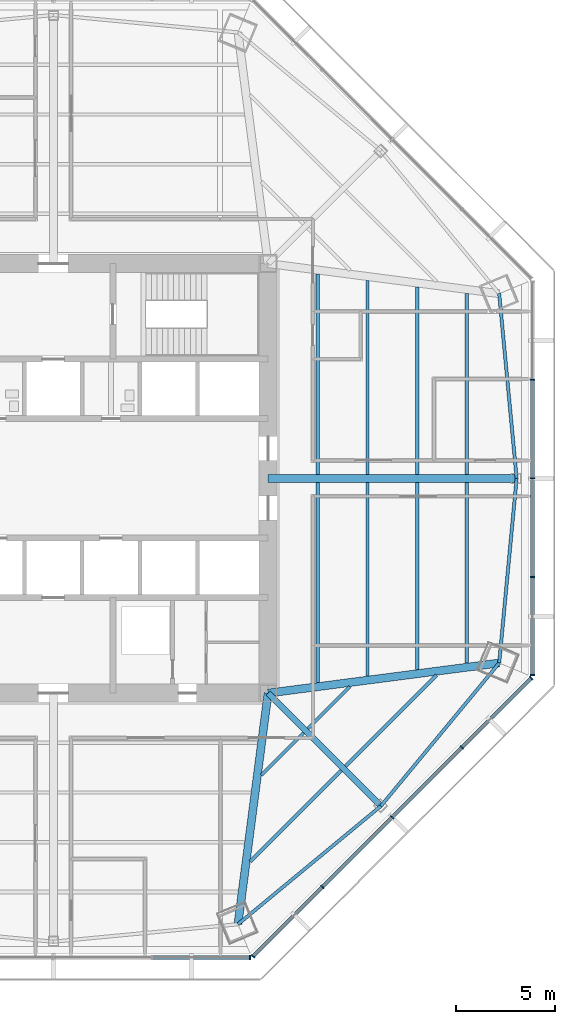
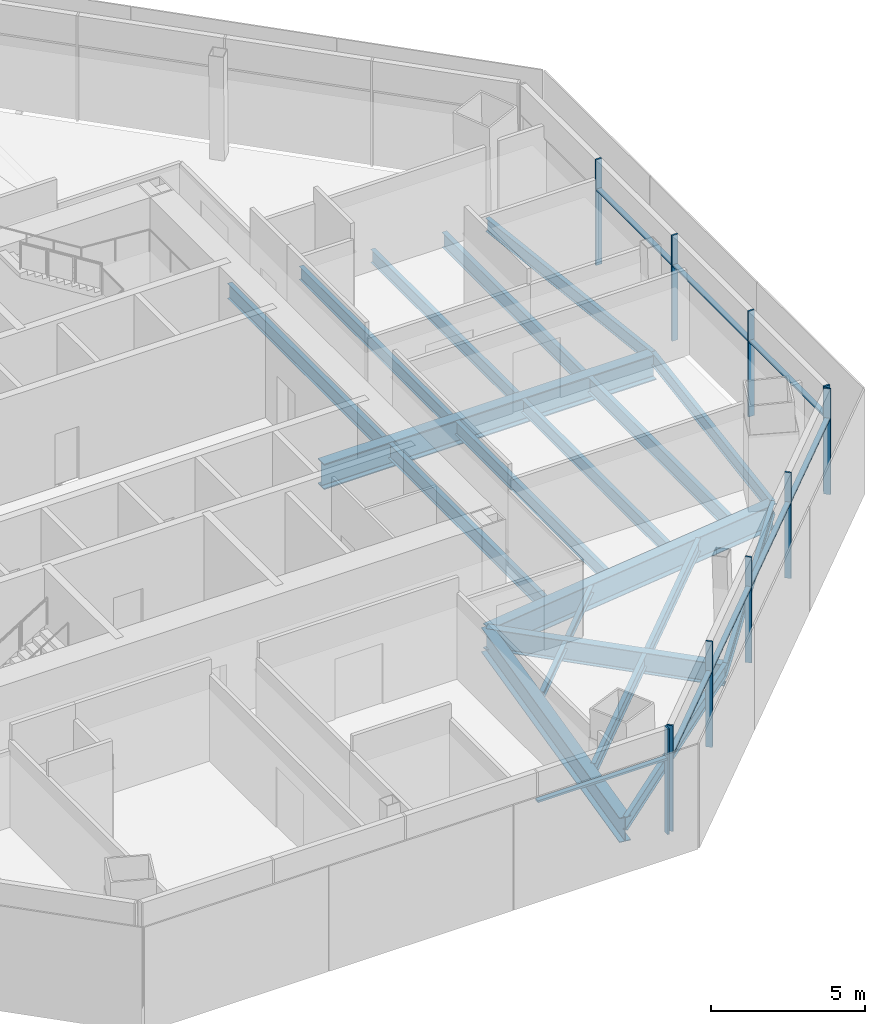
# One storey, part 4 of 14: 20 beams, 18 members, 3 elements without a shape of their own.
"""IFC4 building model written with IfcOpenShell, lengths in metres."""

from ifc_helpers import new_model, si_unit, direction, frame, origin, origin_2d, place, context, subcontext, project, spatial, rectangle, i_section, extrude, source, transform, mapped, material, material_profile, profile_set, type_object, type_shapes, element, aggregate, save


model = new_model("IFC4")

# Units and contexts
model_context = context("Model", 3, precision=1e-05, world=origin(), true_north=direction((0.0, 1.0)))
body_context = subcontext(model_context, "Body", "Model", "MODEL_VIEW")
ifc_project = project(units=[si_unit("LENGTHUNIT", "METRE"), si_unit("AREAUNIT", "SQUARE_METRE"), si_unit("VOLUMEUNIT", "CUBIC_METRE"), si_unit("PLANEANGLEUNIT", "RADIAN"), si_unit("MASSUNIT", "GRAM", prefix="KILO")], contexts=[model_context])

# Site, building, storey
site_placement = place(None, origin())
site = spatial("IfcSite", under=ifc_project, at=site_placement, CompositionType="ELEMENT")
building_placement = place(site_placement, origin())
building = spatial("IfcBuilding", under=site, at=building_placement, Name="Mashrafa Tower", CompositionType="ELEMENT")
storey_placement = place(building_placement, frame((0.0, 0.0, 138.60009765625)))
storey = spatial("IfcBuildingStorey", under=building, at=storey_placement, Name="L31", CompositionType="ELEMENT", Elevation=138.60009765625)

# Beams
ifc_material_1 = material(Name="Steel ASTM A992", Category="steel")
ifc_material_profile_1 = material_profile(ifc_material_1, i_section(OverallWidth=0.164794921875, OverallDepth=0.309814453125, WebThickness=0.005859375, FlangeThickness=0.009765625, FilletRadius=0.007568359375, at=origin_2d()), Name="W12X26")
ifc_profile_set_1 = profile_set([ifc_material_profile_1], Name="Steel ASTM A992")
beam_type_1 = type_object("IfcBeamType", Name="Beam W12X26", PredefinedType="BEAM", material=ifc_profile_set_1)
for number, where, z_axis, x_axis, name in (
    (1, (12.588134765625, -12.794921875, -0.320068359375), (-0.707106781187, -0.707106781187, 0.0), (0.707106781187, -0.707106781187, 0.0), "Floor beam L31 035"),
    (2, (14.916748046875, -10.46630859375, -0.320068359375), (-0.707106781187, -0.707106781187, 0.0), (0.707106781187, -0.707106781187, 0.0), "Floor beam L31 041"),
):
    element("IfcBeam", number, at=place(storey_placement, frame(where, z_axis=z_axis, x_axis=x_axis)), inside=storey, type_object=beam_type_1, Name=name, PredefinedType="BEAM", context=body_context, shape_type="SweptSolid", body=[
        extrude(i_section(OverallWidth=0.164794921875, OverallDepth=0.309814453125, WebThickness=0.005859375, FlangeThickness=0.009765625, FilletRadius=0.007568359375, at=origin_2d()), origin(), (0.0, 0.0, 1.0), 3.000732421875),
    ])
ifc_material_2 = material(Name="Steel ASTM A992", Category="steel")
ifc_material_profile_2 = material_profile(ifc_material_2, i_section(OverallWidth=0.1650390625, OverallDepth=0.52587890625, WebThickness=0.0087890625, FlangeThickness=0.011474609375, FilletRadius=0.0126953125, at=origin_2d()), Name="W21X44")
ifc_profile_set_2 = profile_set([ifc_material_profile_2], Name="Steel ASTM A992")
beam_type_2 = type_object("IfcBeamType", Name="Beam W21X44", PredefinedType="BEAM", material=ifc_profile_set_2)
beam_1_placement = place(storey_placement, frame((14.479736328125, -14.686279296875, -0.427978515625), z_axis=(-0.707087934304, -0.707125627567, 0.0), x_axis=(0.707125627567, -0.707087934304, 0.0)))
element("IfcBeam", 3, at=beam_1_placement, inside=storey, type_object=beam_type_2, Name="Floor beam L31 039", PredefinedType="BEAM", context=body_context, shape_type="SweptSolid", body=[
    extrude(i_section(OverallWidth=0.1650390625, OverallDepth=0.52587890625, WebThickness=0.0087890625, FlangeThickness=0.011474609375, FilletRadius=0.0126953125, at=origin_2d()), origin(), (0.0, 0.0, 1.0), 6.47705078125),
])
for number, where, z_axis, x_axis, name in (
    (4, (15.79931640625, -0.20068359375, -0.427978515625), (0.0, -1.0, 0.0), (1.0, 0.0, 0.0), "Floor beam L31 042"),
    (5, (15.79931640625, 9.946533203125, -0.427978515625), (0.0, -1.0, 0.0), (1.0, 0.0, 0.0), "Floor beam L31 043"),
):
    element("IfcBeam", number, at=place(storey_placement, frame(where, z_axis=z_axis, x_axis=x_axis)), inside=storey, type_object=beam_type_2, Name=name, PredefinedType="BEAM", context=body_context, shape_type="SweptSolid", body=[
        extrude(i_section(OverallWidth=0.1650390625, OverallDepth=0.52587890625, WebThickness=0.0087890625, FlangeThickness=0.011474609375, FilletRadius=0.0126953125, at=origin_2d()), origin(), (0.0, 0.0, 1.0), 9.745849609375),
    ])
for number, where, z_axis, x_axis, name in (
    (6, (18.29931640625, -0.20068359375, -0.427978515625), (0.0, -1.0, 0.0), (1.0, 0.0, 0.0), "Floor beam L31 044"),
    (7, (18.29931640625, 9.62109375, -0.427978515625), (0.0, -1.0, 0.0), (1.0, 0.0, 0.0), "Floor beam L31 045"),
):
    element("IfcBeam", number, at=place(storey_placement, frame(where, z_axis=z_axis, x_axis=x_axis)), inside=storey, type_object=beam_type_2, Name=name, PredefinedType="BEAM", context=body_context, shape_type="SweptSolid", body=[
        extrude(i_section(OverallWidth=0.1650390625, OverallDepth=0.52587890625, WebThickness=0.0087890625, FlangeThickness=0.011474609375, FilletRadius=0.0126953125, at=origin_2d()), origin(), (0.0, 0.0, 1.0), 9.42041015625),
    ])
beam_2_placement = place(storey_placement, frame((19.266357421875, -9.89990234375, -0.427978515625), z_axis=(-0.707125627567, -0.707087934304, 0.0), x_axis=(0.707087934304, -0.707125627567, 0.0)))
element("IfcBeam", 8, at=beam_2_placement, inside=storey, type_object=beam_type_2, Name="Floor beam L31 046", PredefinedType="BEAM", context=body_context, shape_type="SweptSolid", body=[
    extrude(i_section(OverallWidth=0.1650390625, OverallDepth=0.52587890625, WebThickness=0.0087890625, FlangeThickness=0.011474609375, FilletRadius=0.0126953125, at=origin_2d()), origin(), (0.0, 0.0, 1.0), 6.47705078125),
])
for number, where, z_axis, x_axis, name in (
    (9, (9.286865234375, -22.42041015625, -0.427978515625), (0.770535266379, 0.637397366849, 0.0), (-0.637397366849, 0.770535266379, 0.0), "Spandrel beam L31 074"),
    (10, (16.474609375, -16.474609375, -0.427978515625), (0.637397366849, 0.770535266379, 0.0), (-0.770535266379, 0.637397366849, 0.0), "Spandrel beam L31 076"),
    (11, (22.42041015625, -9.286865234375, -0.427978515625), (0.094140889829, 0.995558884678, 0.0), (-0.995558884678, 0.094140889829, 0.0), "Spandrel beam L31 078"),
    (12, (23.298583984375, 0.0, -0.427978515625), (-0.094140889829, 0.995558884678, 0.0), (-0.995558884678, -0.094140889829, 0.0), "Spandrel beam L31 080"),
):
    element("IfcBeam", number, at=place(storey_placement, frame(where, z_axis=z_axis, x_axis=x_axis)), inside=storey, type_object=beam_type_2, Name=name, PredefinedType="BEAM", context=body_context, shape_type="SweptSolid", body=[
        extrude(i_section(OverallWidth=0.1650390625, OverallDepth=0.52587890625, WebThickness=0.0087890625, FlangeThickness=0.011474609375, FilletRadius=0.0126953125, at=origin_2d()), origin(), (0.0, 0.0, 1.0), 9.328369140625),
    ])
ifc_material_3 = material(Name="Steel ASTM A992", Category="steel")
ifc_material_profile_3 = material_profile(ifc_material_3, i_section(OverallWidth=0.177978515625, OverallDepth=0.599365234375, WebThickness=0.010009765625, FlangeThickness=0.012939453125, FilletRadius=0.012939453125, at=origin_2d()), Name="W24X55")
ifc_profile_set_3 = profile_set([ifc_material_profile_3], Name="Steel ASTM A992")
beam_type_3 = type_object("IfcBeamType", Name="Beam W24X55", PredefinedType="BEAM", material=ifc_profile_set_3)
for number, where, z_axis, x_axis, name in (
    (13, (13.2998046875, -0.20068359375, -0.46484375), (0.0, -1.0, 0.0), (1.0, 0.0, 0.0), "Floor beam L31 037"),
    (14, (13.2998046875, 10.272216796875, -0.46484375), (0.0, -1.0, 0.0), (1.0, 0.0, 0.0), "Floor beam L31 038"),
):
    element("IfcBeam", number, at=place(storey_placement, frame(where, z_axis=z_axis, x_axis=x_axis)), inside=storey, type_object=beam_type_3, Name=name, PredefinedType="BEAM", context=body_context, shape_type="SweptSolid", body=[
        extrude(i_section(OverallWidth=0.177978515625, OverallDepth=0.599365234375, WebThickness=0.010009765625, FlangeThickness=0.012939453125, FilletRadius=0.012939453125, at=origin_2d()), origin(), (0.0, 0.0, 1.0), 10.071533203125),
    ])
for number, where, z_axis, x_axis, name in (
    (15, (20.798828125, -0.20068359375, -0.46484375), (0.0, -1.0, 0.0), (1.0, 0.0, 0.0), "Floor beam L31 047"),
    (16, (20.798828125, 9.295654296875, -0.46484375), (0.0, -1.0, 0.0), (1.0, 0.0, 0.0), "Floor beam L31 048"),
):
    element("IfcBeam", number, at=place(storey_placement, frame(where, z_axis=z_axis, x_axis=x_axis)), inside=storey, type_object=beam_type_3, Name=name, PredefinedType="BEAM", context=body_context, shape_type="SweptSolid", body=[
        extrude(i_section(OverallWidth=0.177978515625, OverallDepth=0.599365234375, WebThickness=0.010009765625, FlangeThickness=0.012939453125, FilletRadius=0.012939453125, at=origin_2d()), origin(), (0.0, 0.0, 1.0), 9.094970703125),
    ])
ifc_material_4 = material(Name="Steel ASTM A992", Category="steel")
ifc_material_profile_4 = material_profile(ifc_material_4, i_section(OverallWidth=0.2919921875, OverallDepth=0.8408203125, WebThickness=0.0146484375, FlangeThickness=0.021728515625, FilletRadius=0.017333984375, at=origin_2d()), Name="W33X130")
ifc_profile_set_4 = profile_set([ifc_material_profile_4], Name="Steel ASTM A992")
beam_type_4 = type_object("IfcBeamType", Name="Beam W33X130", PredefinedType="BEAM", material=ifc_profile_set_4)
beam_3_placement = place(storey_placement, frame((10.800048828125, -10.800048828125, -0.58544921875), z_axis=(0.707106781187, -0.707106781187, 0.0), x_axis=(0.707106781187, 0.707106781187, 0.0)))
element("IfcBeam", 17, at=beam_3_placement, inside=storey, type_object=beam_type_4, Name="Radial girder L31 059", PredefinedType="BEAM", context=body_context, shape_type="SweptSolid", body=[
    extrude(i_section(OverallWidth=0.2919921875, OverallDepth=0.8408203125, WebThickness=0.0146484375, FlangeThickness=0.021728515625, FilletRadius=0.017333984375, at=origin_2d()), origin(), (0.0, 0.0, 1.0), 8.025146484375),
])
ifc_material_5 = material(Name="Steel ASTM A992", Category="steel")
ifc_material_profile_5 = material_profile(ifc_material_5, i_section(OverallWidth=0.4013671875, OverallDepth=0.98291015625, WebThickness=0.0166015625, FlangeThickness=0.027099609375, FilletRadius=0.0126953125, at=origin_2d()), Name="W40X199")
ifc_profile_set_5 = profile_set([ifc_material_profile_5], Name="Steel ASTM A992")
beam_type_5 = type_object("IfcBeamType", Name="Beam W40X199", PredefinedType="BEAM", material=ifc_profile_set_5)
for number, where, z_axis, x_axis, name in (
    (18, (10.800048828125, -10.800048828125, -0.656494140625), (-0.129128093367, -0.991627921906, 0.0), (0.991627921906, -0.129128093367, 0.0), "Radial girder L31 058"),
    (19, (10.800048828125, -10.800048828125, -0.656494140625), (0.991627921906, 0.129128093367, 0.0), (-0.129128093367, 0.991627921906, 0.0), "Radial girder L31 060"),
):
    element("IfcBeam", number, at=place(storey_placement, frame(where, z_axis=z_axis, x_axis=x_axis)), inside=storey, type_object=beam_type_5, Name=name, PredefinedType="BEAM", context=body_context, shape_type="SweptSolid", body=[
        extrude(i_section(OverallWidth=0.4013671875, OverallDepth=0.98291015625, WebThickness=0.0166015625, FlangeThickness=0.027099609375, FilletRadius=0.0126953125, at=origin_2d()), origin(), (0.0, 0.0, 1.0), 11.718505859375),
    ])
ifc_material_6 = material(Name="Steel ASTM A992", Category="steel")
ifc_material_profile_6 = material_profile(ifc_material_6, i_section(OverallWidth=0.4013671875, OverallDepth=1.010986328125, WebThickness=0.023681640625, FlangeThickness=0.0419921875, FilletRadius=0.02001953125, at=origin_2d()), Name="W40X297")
ifc_profile_set_6 = profile_set([ifc_material_profile_6], Name="Steel ASTM A992")
beam_type_6 = type_object("IfcBeamType", Name="Beam W40X297", PredefinedType="BEAM", material=ifc_profile_set_6)
beam_4_placement = place(storey_placement, frame((10.800048828125, 0.0, -0.670654296875), z_axis=(1.0, 0.0, 0.0), x_axis=(0.0, 1.0, 0.0)))
element("IfcBeam", 20, at=beam_4_placement, inside=storey, type_object=beam_type_6, Name="Radial girder L31 061", PredefinedType="BEAM", context=body_context, shape_type="SweptSolid", body=[
    extrude(i_section(OverallWidth=0.4013671875, OverallDepth=1.010986328125, WebThickness=0.023681640625, FlangeThickness=0.0419921875, FilletRadius=0.02001953125, at=origin_2d()), origin(), (0.0, 0.0, 1.0), 12.49853515625),
])

# Curtain wall, members
ifc_material_7 = material(Name="Unitised aluminium curtain wall", Category="aluminium")
curtain_wall_type = type_object("IfcCurtainWallType", Name="Office curtain wall, zone 2 CW-B 225 deep", PredefinedType="NOTDEFINED", material=ifc_material_7)
curtain_wall_1_placement = place(storey_placement, origin())
curtain_wall_1 = element("IfcCurtainWall", 21, at=curtain_wall_1_placement, inside=storey, type_object=curtain_wall_type, Name="Office curtain wall, zone 2 L31 east", PredefinedType="NOTDEFINED")
ifc_material_8 = material(Name="Extruded aluminium mullion", Category="aluminium")
ifc_material_profile_7 = material_profile(ifc_material_8, rectangle(XDim=0.22509765625, YDim=0.06494140625, at=origin_2d()), Name="Mullion 65x225")
ifc_profile_set_7 = profile_set([ifc_material_profile_7], Name="Extruded aluminium mullion")
member_type_1 = type_object("IfcMemberType", Name="Mullion CW-B 65 x 225", PredefinedType="MULLION", material=ifc_profile_set_7)
shared_shape_1 = source(origin(), body_context, "Body", "SweptSolid", [
    extrude(rectangle(XDim=0.22509765625, YDim=0.06494140625, at=origin_2d()), origin(), (0.0, 0.0, 1.0), 4.199951171875),
])
type_shapes(member_type_1, [shared_shape_1])
member_1_placement = place(storey_placement, frame((24.093994140625, -9.890869140625, 0.0), z_axis=(0.0, 0.0, 1.0), x_axis=(-1.0, 0.0, 0.0)))
member_1 = element("IfcMember", 22, at=member_1_placement, type_object=member_type_1, Name="CW-B mullion 1", PredefinedType="MULLION", context=body_context, shape_type="MappedRepresentation", body=[
    mapped(shared_shape_1, transform((0.0, 0.0, 0.0))),
])
member_2_placement = place(storey_placement, frame((24.093994140625, -4.961669921875, 0.0), z_axis=(0.0, 0.0, 1.0), x_axis=(-1.0, 0.0, 0.0)))
member_2 = element("IfcMember", 23, at=member_2_placement, type_object=member_type_1, Name="CW-B mullion 2", PredefinedType="MULLION", context=body_context, shape_type="MappedRepresentation", body=[
    mapped(shared_shape_1, transform((0.0, 0.0, 0.0))),
])
member_3_placement = place(storey_placement, frame((24.093994140625, 0.0, 0.0), z_axis=(0.0, 0.0, 1.0), x_axis=(-1.0, 0.0, 0.0)))
member_3 = element("IfcMember", 24, at=member_3_placement, type_object=member_type_1, Name="CW-B mullion 3", PredefinedType="MULLION", context=body_context, shape_type="MappedRepresentation", body=[
    mapped(shared_shape_1, transform((0.0, 0.0, 0.0))),
])
member_4_placement = place(storey_placement, frame((24.093994140625, 4.961669921875, 0.0), z_axis=(0.0, 0.0, 1.0), x_axis=(-1.0, 0.0, 0.0)))
member_4 = element("IfcMember", 25, at=member_4_placement, type_object=member_type_1, Name="CW-B mullion 4", PredefinedType="MULLION", context=body_context, shape_type="MappedRepresentation", body=[
    mapped(shared_shape_1, transform((0.0, 0.0, 0.0))),
])

# Curtain wall, member
curtain_wall_2_placement = place(storey_placement, origin())
curtain_wall_2 = element("IfcCurtainWall", 26, at=curtain_wall_2_placement, inside=storey, type_object=curtain_wall_type, Name="Office curtain wall, zone 2 L31 south", PredefinedType="NOTDEFINED")
member_5_placement = place(storey_placement, frame((9.890869140625, -24.093994140625, 0.0), z_axis=(0.0, 0.0, 1.0), x_axis=(0.0, 1.0, 0.0)))
member_5 = element("IfcMember", 27, at=member_5_placement, type_object=member_type_1, Name="CW-B mullion 5", PredefinedType="MULLION", context=body_context, shape_type="MappedRepresentation", body=[
    mapped(shared_shape_1, transform((0.0, 0.0, 0.0))),
])

# Curtain wall, members
curtain_wall_3_placement = place(storey_placement, origin())
curtain_wall_3 = element("IfcCurtainWall", 28, at=curtain_wall_3_placement, inside=storey, type_object=curtain_wall_type, Name="Office curtain wall, zone 2 L31 south-east", PredefinedType="NOTDEFINED")
member_6_placement = place(storey_placement, frame((10.04296875, -24.031005859375, 0.0), z_axis=(0.0, 0.0, 1.0), x_axis=(-0.707106781187, 0.707106781187, 0.0)))
member_6 = element("IfcMember", 29, at=member_6_placement, type_object=member_type_1, Name="CW-B mullion 1", PredefinedType="MULLION", context=body_context, shape_type="MappedRepresentation", body=[
    mapped(shared_shape_1, transform((0.0, 0.0, 0.0))),
])
member_7_placement = place(storey_placement, frame((13.528564453125, -20.54541015625, 0.0), z_axis=(0.0, 0.0, 1.0), x_axis=(-0.707106781187, 0.707106781187, 0.0)))
member_7 = element("IfcMember", 30, at=member_7_placement, type_object=member_type_1, Name="CW-B mullion 2", PredefinedType="MULLION", context=body_context, shape_type="MappedRepresentation", body=[
    mapped(shared_shape_1, transform((0.0, 0.0, 0.0))),
])
member_8_placement = place(storey_placement, frame((17.036865234375, -17.036865234375, 0.0), z_axis=(0.0, 0.0, 1.0), x_axis=(-0.707106781187, 0.707106781187, 0.0)))
member_8 = element("IfcMember", 31, at=member_8_placement, type_object=member_type_1, Name="CW-B mullion 3", PredefinedType="MULLION", context=body_context, shape_type="MappedRepresentation", body=[
    mapped(shared_shape_1, transform((0.0, 0.0, 0.0))),
])
member_9_placement = place(storey_placement, frame((20.54541015625, -13.528564453125, 0.0), z_axis=(0.0, 0.0, 1.0), x_axis=(-0.707106781187, 0.707106781187, 0.0)))
member_9 = element("IfcMember", 32, at=member_9_placement, type_object=member_type_1, Name="CW-B mullion 4", PredefinedType="MULLION", context=body_context, shape_type="MappedRepresentation", body=[
    mapped(shared_shape_1, transform((0.0, 0.0, 0.0))),
])
member_10_placement = place(storey_placement, frame((24.031005859375, -10.04296875, 0.0), z_axis=(0.0, 0.0, 1.0), x_axis=(-0.707106781187, 0.707106781187, 0.0)))
member_10 = element("IfcMember", 33, at=member_10_placement, type_object=member_type_1, Name="CW-B mullion 5", PredefinedType="MULLION", context=body_context, shape_type="MappedRepresentation", body=[
    mapped(shared_shape_1, transform((0.0, 0.0, 0.0))),
])

# Member
ifc_material_9 = material(Name="Extruded aluminium transom", Category="aluminium")
ifc_material_profile_8 = material_profile(ifc_material_9, rectangle(XDim=0.179931640625, YDim=0.080078125, at=origin_2d()), Name="Transom 80x180")
ifc_profile_set_8 = profile_set([ifc_material_profile_8], Name="Extruded aluminium transom")
member_type_2 = type_object("IfcMemberType", Name="Transom CW-B 80 x 180", PredefinedType="MULLION", material=ifc_profile_set_8)
shared_shape_2 = source(origin(), body_context, "Body", "SweptSolid", [
    extrude(rectangle(XDim=0.179931640625, YDim=0.080078125, at=origin_2d()), origin(), (0.0, 0.0, 1.0), 4.8642578125),
])
member_11_placement = place(storey_placement, frame((24.093994140625, -9.8583984375, 3.0), z_axis=(0.0, 1.0, 0.0), x_axis=(-1.0, 0.0, 0.0)))
member_11 = element("IfcMember", 34, at=member_11_placement, type_object=member_type_2, Name="CW-B transom 1", PredefinedType="MULLION", context=body_context, shape_type="MappedRepresentation", body=[
    mapped(shared_shape_2, transform((0.0, 0.0, 0.0))),
])

member_12_placement = place(storey_placement, frame((4.994140625, -24.093994140625, 3.0), z_axis=(1.0, 0.0, 0.0), x_axis=(0.0, 1.0, 0.0)))
member_12 = element("IfcMember", 35, at=member_12_placement, type_object=member_type_2, Name="CW-B transom 4", PredefinedType="MULLION", context=body_context, shape_type="MappedRepresentation", body=[
    mapped(shared_shape_2, transform((0.0, 0.0, 0.0))),
])

aggregate(curtain_wall_2, [member_5, member_12])

member_13_placement = place(storey_placement, frame((10.06591796875, -24.0078125, 3.0), z_axis=(0.707131875917, 0.707081685565, 0.0), x_axis=(-0.707081685565, 0.707131875917, 0.0)))
member_13 = element("IfcMember", 36, at=member_13_placement, type_object=member_type_2, Name="CW-B transom 1", PredefinedType="MULLION", context=body_context, shape_type="MappedRepresentation", body=[
    mapped(shared_shape_2, transform((0.0, 0.0, 0.0))),
])

member_14_placement = place(storey_placement, frame((20.568359375, -13.505615234375, 3.0), z_axis=(0.707081685565, 0.707131875917, 0.0), x_axis=(-0.707131875917, 0.707081685565, 0.0)))
member_14 = element("IfcMember", 37, at=member_14_placement, type_object=member_type_2, Name="CW-B transom 4", PredefinedType="MULLION", context=body_context, shape_type="MappedRepresentation", body=[
    mapped(shared_shape_2, transform((0.0, 0.0, 0.0))),
])

shared_shape_3 = source(origin(), body_context, "Body", "SweptSolid", [
    extrude(rectangle(XDim=0.179931640625, YDim=0.080078125, at=origin_2d()), origin(), (0.0, 0.0, 1.0), 4.896728515625),
])
member_15_placement = place(storey_placement, frame((24.093994140625, -4.92919921875, 3.0), z_axis=(0.0, 1.0, 0.0), x_axis=(-1.0, 0.0, 0.0)))
member_15 = element("IfcMember", 38, at=member_15_placement, type_object=member_type_2, Name="CW-B transom 2", PredefinedType="MULLION", context=body_context, shape_type="MappedRepresentation", body=[
    mapped(shared_shape_3, transform((0.0, 0.0, 0.0))),
])

member_16_placement = place(storey_placement, frame((24.093994140625, 0.032470703125, 3.0), z_axis=(0.0, 1.0, 0.0), x_axis=(-1.0, 0.0, 0.0)))
member_16 = element("IfcMember", 39, at=member_16_placement, type_object=member_type_2, Name="CW-B transom 3", PredefinedType="MULLION", context=body_context, shape_type="MappedRepresentation", body=[
    mapped(shared_shape_3, transform((0.0, 0.0, 0.0))),
])

aggregate(curtain_wall_1, [member_1, member_2, member_3, member_4, member_11, member_15, member_16])

shared_shape_4 = source(origin(), body_context, "Body", "SweptSolid", [
    extrude(rectangle(XDim=0.179931640625, YDim=0.080078125, at=origin_2d()), origin(), (0.0, 0.0, 1.0), 4.896484375),
])
type_shapes(member_type_2, [shared_shape_2, shared_shape_3, shared_shape_4])
member_17_placement = place(storey_placement, frame((13.551513671875, -20.5224609375, 3.0), z_axis=(0.707106781187, 0.707106781187, 0.0), x_axis=(-0.707106781187, 0.707106781187, 0.0)))
member_17 = element("IfcMember", 40, at=member_17_placement, type_object=member_type_2, Name="CW-B transom 2", PredefinedType="MULLION", context=body_context, shape_type="MappedRepresentation", body=[
    mapped(shared_shape_4, transform((0.0, 0.0, 0.0))),
])

member_18_placement = place(storey_placement, frame((17.06005859375, -17.013916015625, 3.0), z_axis=(0.707106781187, 0.707106781187, 0.0), x_axis=(-0.707106781187, 0.707106781187, 0.0)))
member_18 = element("IfcMember", 41, at=member_18_placement, type_object=member_type_2, Name="CW-B transom 3", PredefinedType="MULLION", context=body_context, shape_type="MappedRepresentation", body=[
    mapped(shared_shape_4, transform((0.0, 0.0, 0.0))),
])

aggregate(curtain_wall_3, [member_6, member_7, member_8, member_9, member_10, member_13, member_17, member_18, member_14])

save(model, "model.ifc")
